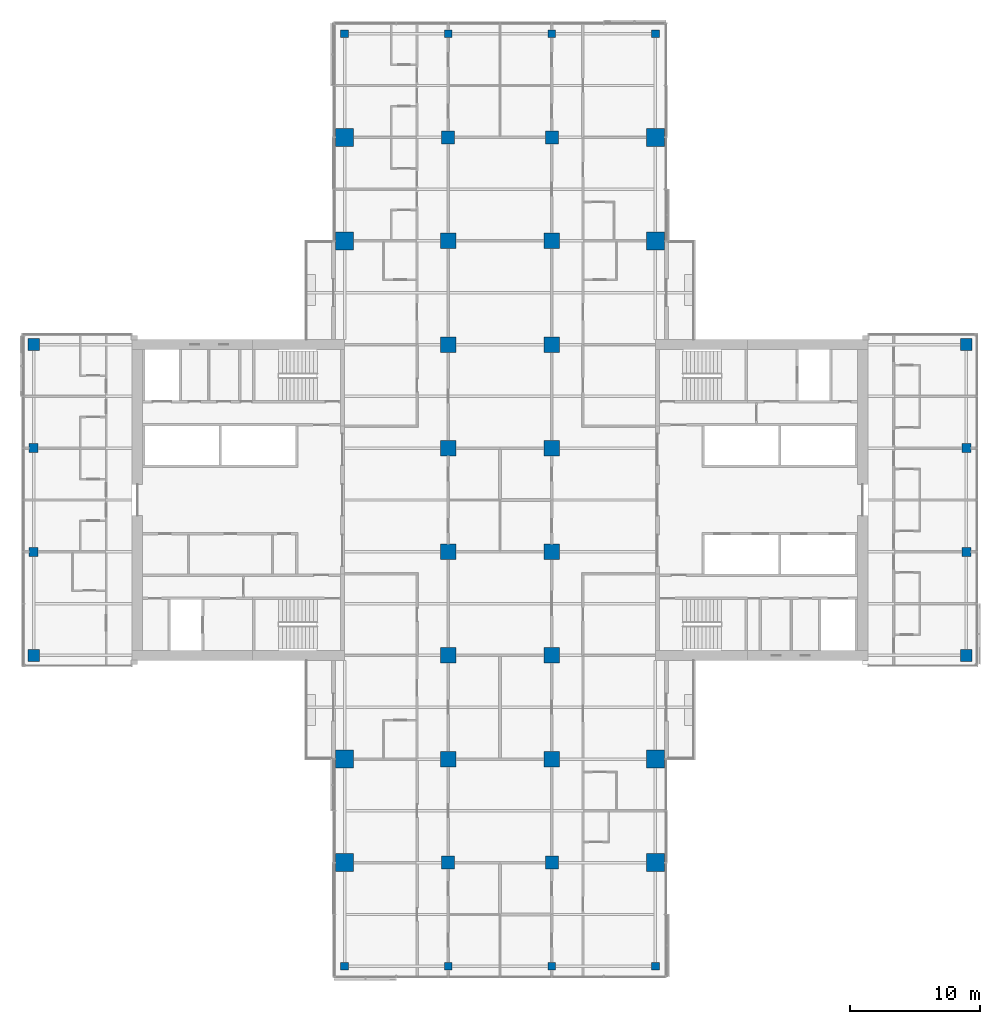
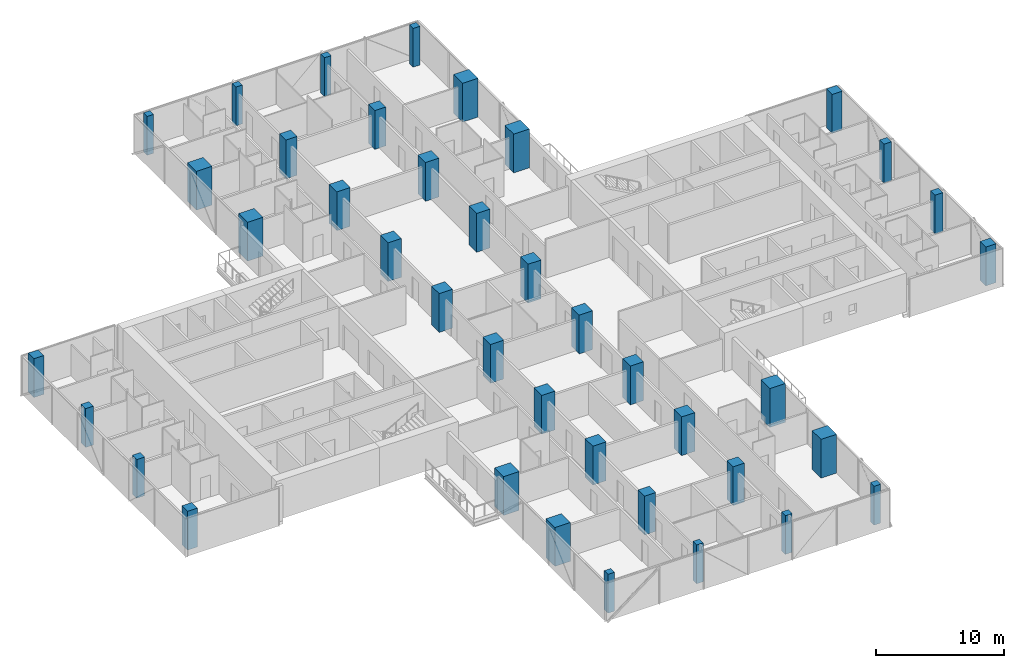
# One storey, part 1 of 27: 40 columns.
"""IFC4 building model written with IfcOpenShell, lengths in metres."""

from ifc_helpers import new_model, si_unit, direction, frame, origin, origin_2d, place, context, subcontext, project, spatial, rectangle, extrude, material, material_profile, profile_set, type_object, element, save


model = new_model("IFC4")

# Units and contexts
model_context = context("Model", 3, precision=1e-05, world=origin(), true_north=direction((0.0, 1.0)))
body_context = subcontext(model_context, "Body", "Model", "MODEL_VIEW")
ifc_project = project(units=[si_unit("LENGTHUNIT", "METRE"), si_unit("AREAUNIT", "SQUARE_METRE"), si_unit("VOLUMEUNIT", "CUBIC_METRE"), si_unit("PLANEANGLEUNIT", "RADIAN"), si_unit("MASSUNIT", "GRAM", prefix="KILO")], contexts=[model_context])

# Site, building, storey
site_placement = place(None, origin())
site = spatial("IfcSite", under=ifc_project, at=site_placement, CompositionType="ELEMENT")
building_placement = place(site_placement, origin())
building = spatial("IfcBuilding", under=site, at=building_placement, Name="Crosswind Convention Tower", CompositionType="ELEMENT")
storey_placement = place(building_placement, frame((0.0, 0.0, 90.5)))
storey = spatial("IfcBuildingStorey", under=building, at=storey_placement, Name="L17", CompositionType="ELEMENT", Elevation=90.5)

# Columns
ifc_material_1 = material(Name="Concrete C70/85", Category="concrete")
ifc_material_profile_1 = material_profile(ifc_material_1, rectangle(XDim=1.0, YDim=1.0, at=origin_2d()), Name="RC 1000X1000")
ifc_profile_set_1 = profile_set([ifc_material_profile_1], Name="Concrete C70/85")
column_type_1 = type_object("IfcColumnType", Name="Column RC 1000X1000", PredefinedType="COLUMN", material=ifc_profile_set_1)
for number, where, z_axis, x_axis, name in (
    (1, (121.0, 72.0, 0.0), (0.0, 0.0, 1.0), (1.0, 0.0, 0.0), "C12 L17 6/C"),
    (2, (121.0, 128.0, 0.0), (0.0, 0.0, 1.0), (1.0, 0.0, 0.0), "C12 L17 6/J"),
    (3, (129.0, 72.0, 0.0), (0.0, 0.0, 1.0), (1.0, 0.0, 0.0), "C12 L17 7/C"),
    (4, (129.0, 128.0, 0.0), (0.0, 0.0, 1.0), (1.0, 0.0, 0.0), "C12 L17 7/J"),
):
    element("IfcColumn", number, at=place(storey_placement, frame(where, z_axis=z_axis, x_axis=x_axis)), inside=storey, type_object=column_type_1, Name=name, PredefinedType="COLUMN", context=body_context, shape_type="SweptSolid", body=[
        extrude(rectangle(XDim=1.0, YDim=1.0, at=origin_2d()), origin(), (0.0, 0.0, 1.0), 3.699951171875),
    ])
ifc_material_profile_2 = material_profile(ifc_material_1, rectangle(XDim=1.199951171875, YDim=1.199951171875, at=origin_2d()), Name="RC 1200X1200")
ifc_profile_set_2 = profile_set([ifc_material_profile_2], Name="Concrete C70/85")
column_type_2 = type_object("IfcColumnType", Name="Column RC 1200X1200", PredefinedType="COLUMN", material=ifc_profile_set_2)
for number, where, z_axis, x_axis, name in (
    (5, (121.0, 80.0, 0.0), (0.0, 0.0, 1.0), (1.0, 0.0, 0.0), "C11 L17 6/D"),
    (6, (121.0, 88.0, 0.0), (0.0, 0.0, 1.0), (1.0, 0.0, 0.0), "C11 L17 6/E"),
    (7, (121.0, 96.0, 0.0), (0.0, 0.0, 1.0), (1.0, 0.0, 0.0), "C11 L17 6/F"),
    (8, (121.0, 104.0, 0.0), (0.0, 0.0, 1.0), (1.0, 0.0, 0.0), "C11 L17 6/G"),
    (9, (121.0, 112.0, 0.0), (0.0, 0.0, 1.0), (1.0, 0.0, 0.0), "C11 L17 6/H"),
    (10, (121.0, 120.0, 0.0), (0.0, 0.0, 1.0), (1.0, 0.0, 0.0), "C11 L17 6/I"),
    (11, (129.0, 80.0, 0.0), (0.0, 0.0, 1.0), (1.0, 0.0, 0.0), "C11 L17 7/D"),
    (12, (129.0, 88.0, 0.0), (0.0, 0.0, 1.0), (1.0, 0.0, 0.0), "C11 L17 7/E"),
    (13, (129.0, 96.0, 0.0), (0.0, 0.0, 1.0), (1.0, 0.0, 0.0), "C11 L17 7/F"),
    (14, (129.0, 104.0, 0.0), (0.0, 0.0, 1.0), (1.0, 0.0, 0.0), "C11 L17 7/G"),
    (15, (129.0, 112.0, 0.0), (0.0, 0.0, 1.0), (1.0, 0.0, 0.0), "C11 L17 7/H"),
    (16, (129.0, 120.0, 0.0), (0.0, 0.0, 1.0), (1.0, 0.0, 0.0), "C11 L17 7/I"),
):
    element("IfcColumn", number, at=place(storey_placement, frame(where, z_axis=z_axis, x_axis=x_axis)), inside=storey, type_object=column_type_2, Name=name, PredefinedType="COLUMN", context=body_context, shape_type="SweptSolid", body=[
        extrude(rectangle(XDim=1.199951171875, YDim=1.199951171875, at=origin_2d()), origin(), (0.0, 0.0, 1.0), 3.699951171875),
    ])
ifc_material_2 = material(Name="Concrete C80/95", Category="concrete")
ifc_material_profile_3 = material_profile(ifc_material_2, rectangle(XDim=1.39990234375, YDim=1.39990234375, at=origin_2d()), Name="RC 1400X1400")
ifc_profile_set_3 = profile_set([ifc_material_profile_3], Name="Concrete C80/95")
column_type_3 = type_object("IfcColumnType", Name="Column RC 1400X1400", PredefinedType="COLUMN", material=ifc_profile_set_3)
for number, where, z_axis, x_axis, name in (
    (17, (113.0, 72.0, 0.0), (0.0, 0.0, 1.0), (1.0, 0.0, 0.0), "C10 L17 5/C"),
    (18, (113.0, 80.0, 0.0), (0.0, 0.0, 1.0), (1.0, 0.0, 0.0), "C10 L17 5/D"),
    (19, (113.0, 120.0, 0.0), (0.0, 0.0, 1.0), (1.0, 0.0, 0.0), "C10 L17 5/I"),
    (20, (113.0, 128.0, 0.0), (0.0, 0.0, 1.0), (1.0, 0.0, 0.0), "C10 L17 5/J"),
    (21, (137.0, 72.0, 0.0), (0.0, 0.0, 1.0), (1.0, 0.0, 0.0), "C10 L17 8/C"),
    (22, (137.0, 80.0, 0.0), (0.0, 0.0, 1.0), (1.0, 0.0, 0.0), "C10 L17 8/D"),
    (23, (137.0, 120.0, 0.0), (0.0, 0.0, 1.0), (1.0, 0.0, 0.0), "C10 L17 8/I"),
    (24, (137.0, 128.0, 0.0), (0.0, 0.0, 1.0), (1.0, 0.0, 0.0), "C10 L17 8/J"),
):
    element("IfcColumn", number, at=place(storey_placement, frame(where, z_axis=z_axis, x_axis=x_axis)), inside=storey, type_object=column_type_3, Name=name, PredefinedType="COLUMN", context=body_context, shape_type="SweptSolid", body=[
        extrude(rectangle(XDim=1.39990234375, YDim=1.39990234375, at=origin_2d()), origin(), (0.0, 0.0, 1.0), 3.699951171875),
    ])
ifc_material_3 = material(Name="Concrete C60/75", Category="concrete")
ifc_material_profile_4 = material_profile(ifc_material_3, rectangle(XDim=0.60009765625, YDim=0.60009765625, at=origin_2d()), Name="RC 600X600")
ifc_profile_set_4 = profile_set([ifc_material_profile_4], Name="Concrete C60/75")
column_type_4 = type_object("IfcColumnType", Name="Column RC 600X600", PredefinedType="COLUMN", material=ifc_profile_set_4)
for number, where, z_axis, x_axis, name in (
    (25, (113.0, 64.0, 0.0), (0.0, 0.0, 1.0), (1.0, 0.0, 0.0), "C16 L17 5/B"),
    (26, (113.0, 136.0, 0.0), (0.0, 0.0, 1.0), (1.0, 0.0, 0.0), "C16 L17 5/K"),
    (27, (121.0, 64.0, 0.0), (0.0, 0.0, 1.0), (1.0, 0.0, 0.0), "C16 L17 6/B"),
    (28, (121.0, 136.0, 0.0), (0.0, 0.0, 1.0), (1.0, 0.0, 0.0), "C16 L17 6/K"),
    (29, (129.0, 64.0, 0.0), (0.0, 0.0, 1.0), (1.0, 0.0, 0.0), "C16 L17 7/B"),
    (30, (129.0, 136.0, 0.0), (0.0, 0.0, 1.0), (1.0, 0.0, 0.0), "C16 L17 7/K"),
    (31, (137.0, 64.0, 0.0), (0.0, 0.0, 1.0), (1.0, 0.0, 0.0), "C16 L17 8/B"),
    (32, (137.0, 136.0, 0.0), (0.0, 0.0, 1.0), (1.0, 0.0, 0.0), "C16 L17 8/K"),
):
    element("IfcColumn", number, at=place(storey_placement, frame(where, z_axis=z_axis, x_axis=x_axis)), inside=storey, type_object=column_type_4, Name=name, PredefinedType="COLUMN", context=body_context, shape_type="SweptSolid", body=[
        extrude(rectangle(XDim=0.60009765625, YDim=0.60009765625, at=origin_2d()), origin(), (0.0, 0.0, 1.0), 3.699951171875),
    ])
ifc_material_profile_5 = material_profile(ifc_material_3, rectangle(XDim=0.699951171875, YDim=0.699951171875, at=origin_2d()), Name="RC 700X700")
ifc_profile_set_5 = profile_set([ifc_material_profile_5], Name="Concrete C60/75")
column_type_5 = type_object("IfcColumnType", Name="Column RC 700X700", PredefinedType="COLUMN", material=ifc_profile_set_5)
for number, where, z_axis, x_axis, name in (
    (33, (89.0, 96.0, 0.0), (0.0, 0.0, 1.0), (1.0, 0.0, 0.0), "C15 L17 2/F"),
    (34, (89.0, 104.0, 0.0), (0.0, 0.0, 1.0), (1.0, 0.0, 0.0), "C15 L17 2/G"),
    (35, (161.0, 96.0, 0.0), (0.0, 0.0, 1.0), (1.0, 0.0, 0.0), "C15 L17 11/F"),
    (36, (161.0, 104.0, 0.0), (0.0, 0.0, 1.0), (1.0, 0.0, 0.0), "C15 L17 11/G"),
):
    element("IfcColumn", number, at=place(storey_placement, frame(where, z_axis=z_axis, x_axis=x_axis)), inside=storey, type_object=column_type_5, Name=name, PredefinedType="COLUMN", context=body_context, shape_type="SweptSolid", body=[
        extrude(rectangle(XDim=0.699951171875, YDim=0.699951171875, at=origin_2d()), origin(), (0.0, 0.0, 1.0), 3.699951171875),
    ])
ifc_material_profile_6 = material_profile(ifc_material_3, rectangle(XDim=0.89990234375, YDim=0.89990234375, at=origin_2d()), Name="RC 900X900")
ifc_profile_set_6 = profile_set([ifc_material_profile_6], Name="Concrete C60/75")
column_type_6 = type_object("IfcColumnType", Name="Column RC 900X900", PredefinedType="COLUMN", material=ifc_profile_set_6)
for number, where, z_axis, x_axis, name in (
    (37, (89.0, 88.0, 0.0), (0.0, 0.0, 1.0), (1.0, 0.0, 0.0), "C13 L17 2/E"),
    (38, (89.0, 112.0, 0.0), (0.0, 0.0, 1.0), (1.0, 0.0, 0.0), "C13 L17 2/H"),
    (39, (161.0, 88.0, 0.0), (0.0, 0.0, 1.0), (1.0, 0.0, 0.0), "C13 L17 11/E"),
    (40, (161.0, 112.0, 0.0), (0.0, 0.0, 1.0), (1.0, 0.0, 0.0), "C13 L17 11/H"),
):
    element("IfcColumn", number, at=place(storey_placement, frame(where, z_axis=z_axis, x_axis=x_axis)), inside=storey, type_object=column_type_6, Name=name, PredefinedType="COLUMN", context=body_context, shape_type="SweptSolid", body=[
        extrude(rectangle(XDim=0.89990234375, YDim=0.89990234375, at=origin_2d()), origin(), (0.0, 0.0, 1.0), 3.699951171875),
    ])

save(model, "model.ifc")
